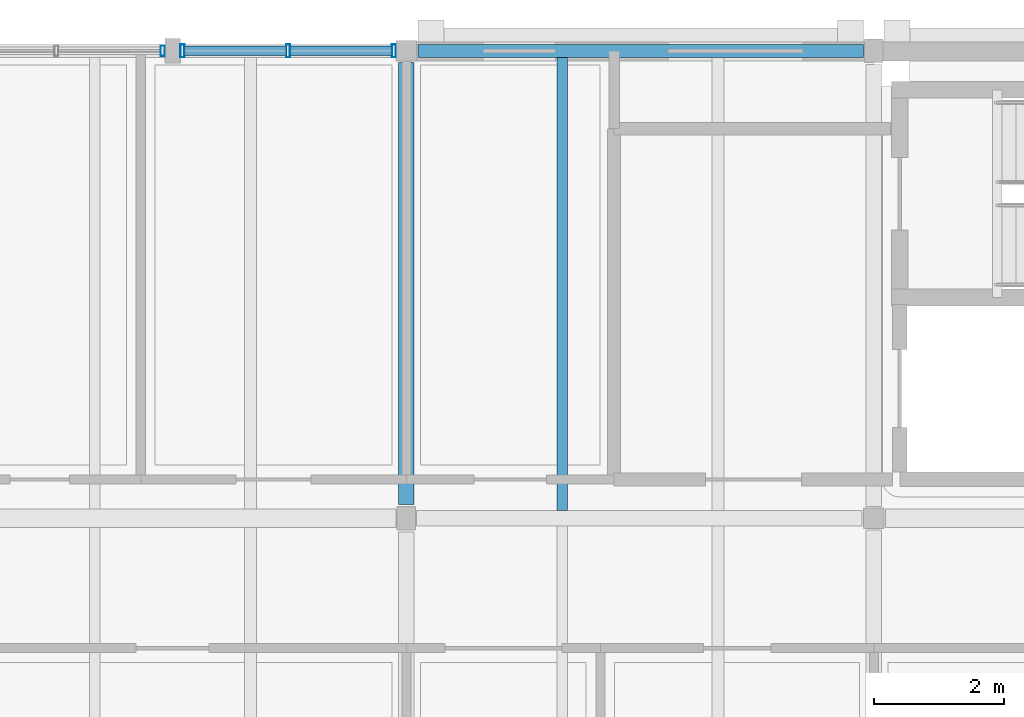
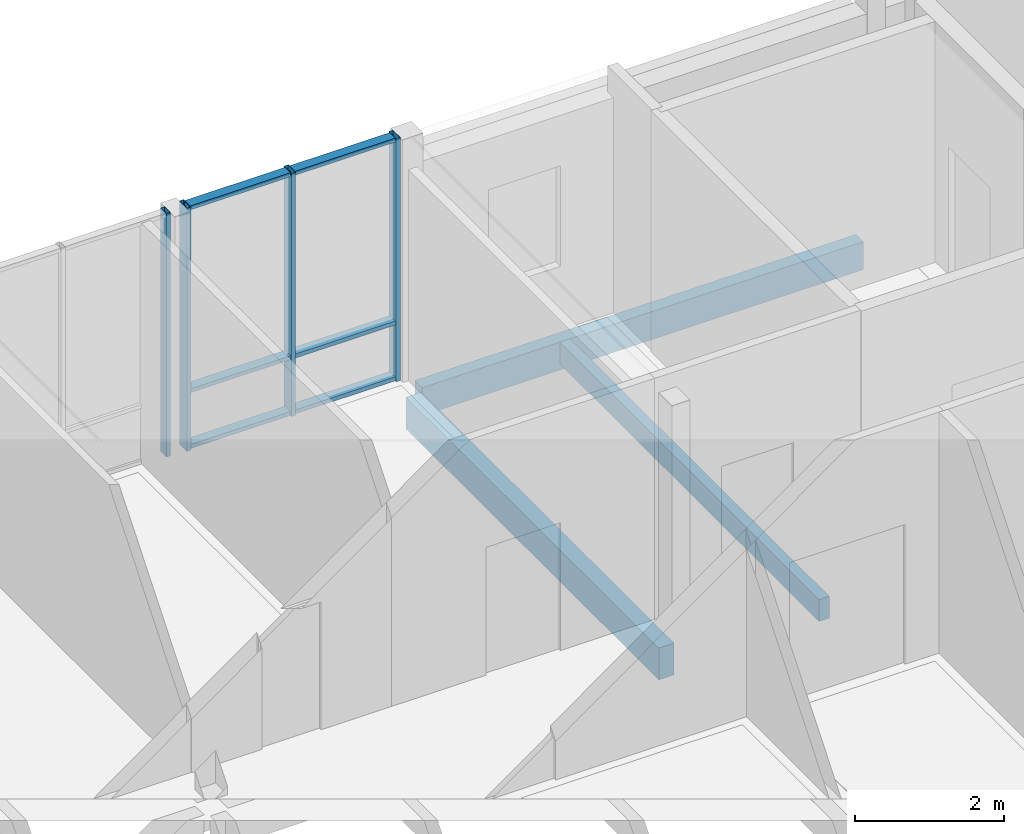
# One storey, part 29 of 115: 10 members, 3 beams, 2 elements without a shape of their own.
"""IFC4 building model written with IfcOpenShell, lengths in metres."""

from ifc_helpers import new_model, si_unit, direction, frame, origin, origin_2d, place, context, subcontext, project, spatial, rectangle, hollow_rectangle, extrude, material, material_profile, profile_set, type_object, element, aggregate, save


model = new_model("IFC4")

# Units and contexts
model_context = context("Model", 3, precision=1e-05, world=origin(), true_north=direction((0.0, 1.0)))
body_context = subcontext(model_context, "Body", "Model", "MODEL_VIEW")
ifc_project = project(units=[si_unit("LENGTHUNIT", "METRE"), si_unit("AREAUNIT", "SQUARE_METRE"), si_unit("VOLUMEUNIT", "CUBIC_METRE"), si_unit("PLANEANGLEUNIT", "RADIAN"), si_unit("MASSUNIT", "GRAM", prefix="KILO")], contexts=[model_context])

# Site, building, storey
site_placement = place(None, origin())
site = spatial("IfcSite", under=ifc_project, at=site_placement, CompositionType="ELEMENT")
building_placement = place(site_placement, origin())
building = spatial("IfcBuilding", under=site, at=building_placement, Name="Hawrajan Terrace Health Centre", CompositionType="ELEMENT")
storey_placement = place(building_placement, frame((0.0, 0.0, 9.0)))
storey = spatial("IfcBuildingStorey", under=building, at=storey_placement, Name="L02", CompositionType="ELEMENT", Elevation=9.0)

# Curtain wall, member
ifc_material_1 = material(Name="Anodized bronze aluminium and low-E solar glazing", Category="aluminium")
curtain_wall_type_1 = type_object("IfcCurtainWallType", Name="CW_Court_SeriesB3", PredefinedType="USERDEFINED", material=ifc_material_1)
curtain_wall_1_placement = place(storey_placement, origin())
curtain_wall_1 = element("IfcCurtainWall", 1, at=curtain_wall_1_placement, inside=storey, type_object=curtain_wall_type_1, Name="Curtain wall CW-L02-126", ObjectType="UNITISED CURTAIN WALL", PredefinedType="USERDEFINED")
ifc_material_2 = material(Name="Anodized bronze aluminium 6063-T6", Category="aluminium")
ifc_material_profile_1 = material_profile(ifc_material_2, hollow_rectangle(XDim=0.06494140625, YDim=0.159912109375, WallThickness=0.00390625, at=origin_2d()), Name="CW MUL 65x160")
ifc_profile_set_1 = profile_set([ifc_material_profile_1], Name="Anodized bronze aluminium 6063-T6")
member_type_1 = type_object("IfcMemberType", Name="CWMullion_65x160", PredefinedType="MULLION", material=ifc_profile_set_1)
member_1_placement = place(storey_placement, frame((36.847412109375, 59.800048828125, -0.0048828125), z_axis=(0.0, 0.0, 1.0), x_axis=(1.0, 0.0, 0.0)))
member_1 = element("IfcMember", 2, at=member_1_placement, type_object=member_type_1, Name="Mullion CW-L02-126-M3", PredefinedType="MULLION", context=body_context, shape_type="SweptSolid", body=[
    extrude(hollow_rectangle(XDim=0.06494140625, YDim=0.159912109375, WallThickness=0.00390625, at=origin_2d()), origin(), (0.0, 0.0, 1.0), 4.0),
])
aggregate(curtain_wall_1, [member_1])

# Curtain wall, members
curtain_wall_type_2 = type_object("IfcCurtainWallType", Name="CW_CourtNS_SeriesC1", PredefinedType="USERDEFINED", material=ifc_material_1)
curtain_wall_2_placement = place(storey_placement, origin())
curtain_wall_2 = element("IfcCurtainWall", 3, at=curtain_wall_2_placement, inside=storey, type_object=curtain_wall_type_2, Name="Curtain wall CW-L02-127", ObjectType="UNITISED CURTAIN WALL", PredefinedType="USERDEFINED")
ifc_material_profile_2 = material_profile(ifc_material_2, hollow_rectangle(XDim=0.06494140625, YDim=0.199951171875, WallThickness=0.00439453125, at=origin_2d()), Name="CW MUL 65x200")
ifc_profile_set_2 = profile_set([ifc_material_profile_2], Name="Anodized bronze aluminium 6063-T6")
member_type_2 = type_object("IfcMemberType", Name="CWMullion_65x200", PredefinedType="MULLION", material=ifc_profile_set_2)
member_2_placement = place(storey_placement, frame((37.152587890625, 59.800048828125, -0.0048828125), z_axis=(0.0, 0.0, 1.0), x_axis=(1.0, 0.0, 0.0)))
member_2 = element("IfcMember", 4, at=member_2_placement, type_object=member_type_2, Name="Mullion CW-L02-127-M1", PredefinedType="MULLION", context=body_context, shape_type="SweptSolid", body=[
    extrude(hollow_rectangle(XDim=0.06494140625, YDim=0.199951171875, WallThickness=0.00439453125, at=origin_2d()), origin(), (0.0, 0.0, 1.0), 4.0),
])
member_3_placement = place(storey_placement, frame((38.780029296875, 59.800048828125, -0.0048828125), z_axis=(0.0, 0.0, 1.0), x_axis=(1.0, 0.0, 0.0)))
member_3 = element("IfcMember", 5, at=member_3_placement, type_object=member_type_2, Name="Mullion CW-L02-127-M2", PredefinedType="MULLION", context=body_context, shape_type="SweptSolid", body=[
    extrude(hollow_rectangle(XDim=0.06494140625, YDim=0.199951171875, WallThickness=0.00439453125, at=origin_2d()), origin(), (0.0, 0.0, 1.0), 4.0),
])
member_4_placement = place(storey_placement, frame((40.407470703125, 59.800048828125, -0.0048828125), z_axis=(0.0, 0.0, 1.0), x_axis=(1.0, 0.0, 0.0)))
member_4 = element("IfcMember", 6, at=member_4_placement, type_object=member_type_2, Name="Mullion CW-L02-127-M3", PredefinedType="MULLION", context=body_context, shape_type="SweptSolid", body=[
    extrude(hollow_rectangle(XDim=0.06494140625, YDim=0.199951171875, WallThickness=0.00439453125, at=origin_2d()), origin(), (0.0, 0.0, 1.0), 4.0),
])
ifc_material_profile_3 = material_profile(ifc_material_2, hollow_rectangle(XDim=0.06494140625, YDim=0.14990234375, WallThickness=0.00390625, at=origin_2d()), Name="CW TRN 65x150")
ifc_profile_set_3 = profile_set([ifc_material_profile_3], Name="Anodized bronze aluminium 6063-T6")
member_type_3 = type_object("IfcMemberType", Name="CWTransom_65x150", PredefinedType="USERDEFINED", material=ifc_profile_set_3)
member_5_placement = place(storey_placement, frame((37.178955078125, 59.800048828125, 0.032470703125), z_axis=(1.0, 0.0, 0.0), x_axis=(0.0, 0.0, 1.0)))
member_5 = element("IfcMember", 7, at=member_5_placement, type_object=member_type_3, Name="Transom CW-L02-127-T1-1", ObjectType="TRANSOM", PredefinedType="USERDEFINED", context=body_context, shape_type="SweptSolid", body=[
    extrude(hollow_rectangle(XDim=0.06494140625, YDim=0.14990234375, WallThickness=0.00390625, at=origin_2d()), origin(), (0.0, 0.0, 1.0), 1.574462890625),
])
member_6_placement = place(storey_placement, frame((37.178955078125, 59.800048828125, 0.949951171875), z_axis=(1.0, 0.0, 0.0), x_axis=(0.0, 0.0, 1.0)))
member_6 = element("IfcMember", 8, at=member_6_placement, type_object=member_type_3, Name="Transom CW-L02-127-T1-2", ObjectType="TRANSOM", PredefinedType="USERDEFINED", context=body_context, shape_type="SweptSolid", body=[
    extrude(hollow_rectangle(XDim=0.06494140625, YDim=0.14990234375, WallThickness=0.00390625, at=origin_2d()), origin(), (0.0, 0.0, 1.0), 1.574462890625),
])
member_7_placement = place(storey_placement, frame((37.178955078125, 59.800048828125, 3.95751953125), z_axis=(1.0, 0.0, 0.0), x_axis=(0.0, 0.0, 1.0)))
member_7 = element("IfcMember", 9, at=member_7_placement, type_object=member_type_3, Name="Transom CW-L02-127-T1-3", ObjectType="TRANSOM", PredefinedType="USERDEFINED", context=body_context, shape_type="SweptSolid", body=[
    extrude(hollow_rectangle(XDim=0.06494140625, YDim=0.14990234375, WallThickness=0.00390625, at=origin_2d()), origin(), (0.0, 0.0, 1.0), 1.574462890625),
])
member_8_placement = place(storey_placement, frame((38.806396484375, 59.800048828125, 0.032470703125), z_axis=(1.0, 0.0, 0.0), x_axis=(0.0, 0.0, 1.0)))
member_8 = element("IfcMember", 10, at=member_8_placement, type_object=member_type_3, Name="Transom CW-L02-127-T2-1", ObjectType="TRANSOM", PredefinedType="USERDEFINED", context=body_context, shape_type="SweptSolid", body=[
    extrude(hollow_rectangle(XDim=0.06494140625, YDim=0.14990234375, WallThickness=0.00390625, at=origin_2d()), origin(), (0.0, 0.0, 1.0), 1.57470703125),
])
member_9_placement = place(storey_placement, frame((38.806396484375, 59.800048828125, 0.949951171875), z_axis=(1.0, 0.0, 0.0), x_axis=(0.0, 0.0, 1.0)))
member_9 = element("IfcMember", 11, at=member_9_placement, type_object=member_type_3, Name="Transom CW-L02-127-T2-2", ObjectType="TRANSOM", PredefinedType="USERDEFINED", context=body_context, shape_type="SweptSolid", body=[
    extrude(hollow_rectangle(XDim=0.06494140625, YDim=0.14990234375, WallThickness=0.00390625, at=origin_2d()), origin(), (0.0, 0.0, 1.0), 1.57470703125),
])
member_10_placement = place(storey_placement, frame((38.806396484375, 59.800048828125, 3.95751953125), z_axis=(1.0, 0.0, 0.0), x_axis=(0.0, 0.0, 1.0)))
member_10 = element("IfcMember", 12, at=member_10_placement, type_object=member_type_3, Name="Transom CW-L02-127-T2-3", ObjectType="TRANSOM", PredefinedType="USERDEFINED", context=body_context, shape_type="SweptSolid", body=[
    extrude(hollow_rectangle(XDim=0.06494140625, YDim=0.14990234375, WallThickness=0.00390625, at=origin_2d()), origin(), (0.0, 0.0, 1.0), 1.57470703125),
])
aggregate(curtain_wall_2, [member_2, member_3, member_4, member_5, member_6, member_7, member_8, member_9, member_10])

# Beams
ifc_material_3 = material(Name="Glulam GL32h", Category="wood")
ifc_material_profile_4 = material_profile(ifc_material_3, rectangle(XDim=0.239990234375, YDim=0.52001953125, at=origin_2d()), Name="GL BM 240x520")
ifc_profile_set_4 = profile_set([ifc_material_profile_4], Name="Glulam GL32h")
beam_type_1 = type_object("IfcBeamType", Name="GlulamGirder_240x520", PredefinedType="BEAM", material=ifc_profile_set_4)
beam_1_placement = place(storey_placement, frame((40.60009765625, 52.81005859375, -0.5), z_axis=(0.0, 1.0, 0.0), x_axis=(-1.0, 0.0, 0.0)))
element("IfcBeam", 13, at=beam_1_placement, inside=storey, type_object=beam_type_1, Name="Beam BM-Y-L02-W-X06-7", PredefinedType="BEAM", context=body_context, shape_type="SweptSolid", body=[
    extrude(rectangle(XDim=0.239990234375, YDim=0.52001953125, at=origin_2d()), origin(), (0.0, 0.0, 1.0), 6.81005859375),
])
ifc_material_4 = material(Name="Glulam GL28h", Category="wood")
ifc_material_profile_5 = material_profile(ifc_material_4, rectangle(XDim=0.159912109375, YDim=0.360107421875, at=origin_2d()), Name="GL JST 160x360")
ifc_profile_set_5 = profile_set([ifc_material_profile_5], Name="Glulam GL28h")
beam_type_2 = type_object("IfcBeamType", Name="GlulamJoist_160x360", PredefinedType="JOIST", material=ifc_profile_set_5)
beam_2_placement = place(storey_placement, frame((43.0, 52.719970703125, -0.419921875), z_axis=(0.0, 1.0, 0.0), x_axis=(-1.0, 0.0, 0.0)))
element("IfcBeam", 14, at=beam_2_placement, inside=storey, type_object=beam_type_2, Name="Secondary joist JST-L02-W-06-7-1", PredefinedType="JOIST", context=body_context, shape_type="SweptSolid", body=[
    extrude(rectangle(XDim=0.159912109375, YDim=0.360107421875, at=origin_2d()), origin(), (0.0, 0.0, 1.0), 6.97998046875),
])
ifc_material_profile_6 = material_profile(ifc_material_3, rectangle(XDim=0.199951171875, YDim=0.4599609375, at=origin_2d()), Name="GL SP 200x460")
ifc_profile_set_6 = profile_set([ifc_material_profile_6], Name="Glulam GL32h")
beam_type_3 = type_object("IfcBeamType", Name="GlulamSpandrel_200x460", PredefinedType="SPANDREL", material=ifc_profile_set_6)
beam_3_placement = place(storey_placement, frame((40.780029296875, 59.800048828125, -0.469970703125), z_axis=(1.0, 0.0, 0.0), x_axis=(0.0, 1.0, 0.0)))
element("IfcBeam", 15, at=beam_3_placement, inside=storey, type_object=beam_type_3, Name="Beam BM-X-L02-W-06-Y8", PredefinedType="SPANDREL", context=body_context, shape_type="SweptSolid", body=[
    extrude(rectangle(XDim=0.199951171875, YDim=0.4599609375, at=origin_2d()), origin(), (0.0, 0.0, 1.0), 6.85986328125),
])

save(model, "model.ifc")
